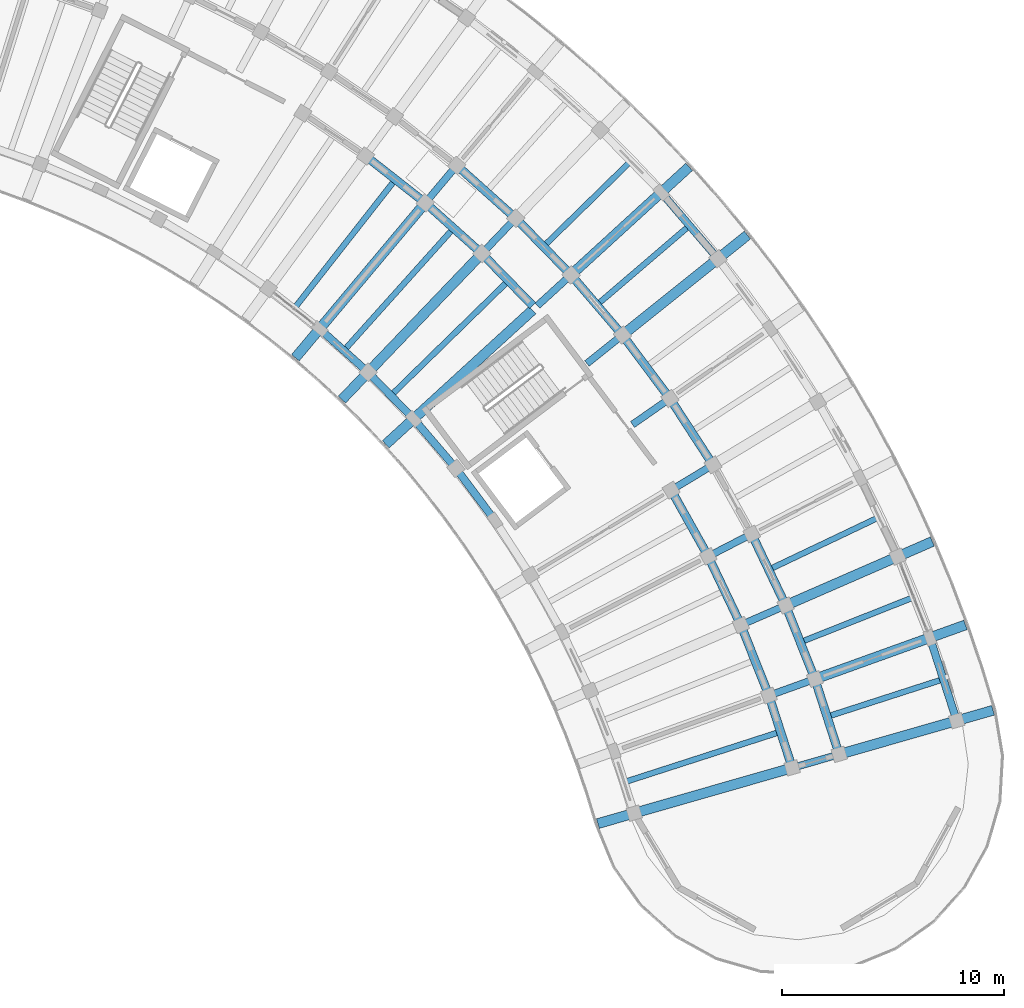
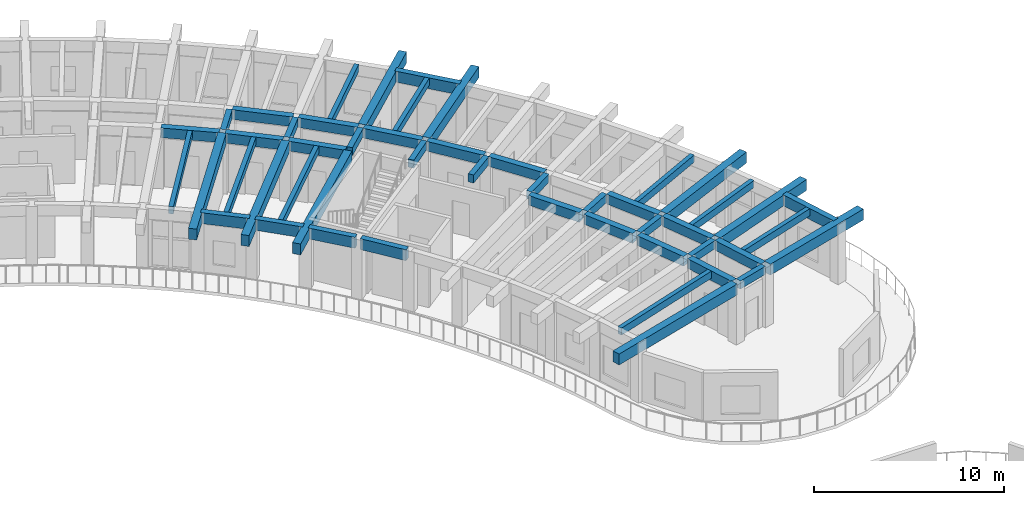
# One storey, part 62 of 128: 49 beams.
"""IFC4 building model written with IfcOpenShell, lengths in metres."""

from ifc_helpers import new_model, si_unit, direction, frame, origin, origin_2d, place, context, subcontext, project, spatial, rectangle, extrude, material, material_profile, profile_set, type_object, element, save


model = new_model("IFC4")

# Units and contexts
model_context = context("Model", 3, precision=1e-05, world=origin(), true_north=direction((0.0, 1.0)))
body_context = subcontext(model_context, "Body", "Model", "MODEL_VIEW")
ifc_project = project(units=[si_unit("LENGTHUNIT", "METRE"), si_unit("AREAUNIT", "SQUARE_METRE"), si_unit("VOLUMEUNIT", "CUBIC_METRE"), si_unit("PLANEANGLEUNIT", "RADIAN"), si_unit("MASSUNIT", "GRAM", prefix="KILO")], contexts=[model_context])

# Site, building, storey
site_placement = place(None, origin())
site = spatial("IfcSite", under=ifc_project, at=site_placement, CompositionType="ELEMENT")
building_placement = place(site_placement, origin())
building = spatial("IfcBuilding", under=site, at=building_placement, Name="Tanwirah Colonnade Gardens", CompositionType="ELEMENT")
storey_placement = place(building_placement, frame((0.0, 0.0, 4.760009765625)))
storey = spatial("IfcBuildingStorey", under=building, at=storey_placement, Name="L01", CompositionType="ELEMENT", Elevation=4.760009765625)

# Beams
ifc_material_1 = material(Name="Precast concrete C40/50", Category="concrete")
ifc_material_profile_1 = material_profile(ifc_material_1, rectangle(XDim=0.320068359375, YDim=0.52001953125, at=origin_2d()), Name="PC-BM 320x520")
ifc_profile_set_1 = profile_set([ifc_material_profile_1], Name="Precast concrete C40/50")
beam_type_1 = type_object("IfcBeamType", Name="BM-PC320", PredefinedType="BEAM", material=ifc_profile_set_1)
for number, where, z_axis, x_axis, name in (
    (1, (170.985595703125, 74.533203125, 3.56494140625), (0.961266538157, 0.275620468433, 0.0), (-0.275620468433, 0.961266538157, 0.0), "Block B L01 Corridor Tie Beam 0"),
    (2, (169.9326171875, 77.79541015625, 3.56494140625), (0.941021664552, 0.338346311999, 0.0), (-0.338346311999, 0.941021664552, 0.0), "Block B L01 Corridor Tie Beam 1"),
    (3, (168.6669921875, 80.981201171875, 3.56494140625), (0.916681481826, 0.399618644306, 0.0), (-0.399618644306, 0.916681481826, 0.0), "Block B L01 Corridor Tie Beam 2"),
):
    element("IfcBeam", number, at=place(storey_placement, frame(where, z_axis=z_axis, x_axis=x_axis)), inside=storey, type_object=beam_type_1, Name=name, PredefinedType="BEAM", context=body_context, shape_type="SweptSolid", body=[
        extrude(rectangle(XDim=0.320068359375, YDim=0.52001953125, at=origin_2d()), origin(), (0.0, 0.0, 1.0), 1.89990234375),
    ])
beam_1_placement = place(storey_placement, frame((167.194091796875, 84.07666015625, 3.56494140625), z_axis=(0.888385730697, 0.459097803844, 0.0), x_axis=(-0.459097803844, 0.888385730697, 0.0)))
element("IfcBeam", 4, at=beam_1_placement, inside=storey, type_object=beam_type_1, Name="Block B L01 Corridor Tie Beam 3", PredefinedType="BEAM", context=body_context, shape_type="SweptSolid", body=[
    extrude(rectangle(XDim=0.320068359375, YDim=0.52001953125, at=origin_2d()), origin(), (0.0, 0.0, 1.0), 1.900146484375),
])
for number, where, z_axis, x_axis, name in (
    (5, (165.520751953125, 87.068359375, 3.56494140625), (0.856174920318, 0.516686080534, 0.0), (-0.516686080534, 0.856174920318, 0.0), "Block B L01 Corridor Tie Beam 4"),
    (6, (163.653564453125, 89.943359375, 3.56494140625), (0.820305001782, 0.571926309983, 0.0), (-0.571926309983, 0.820305001782, 0.0), "Block B L01 Corridor Tie Beam 5"),
    (7, (161.601318359375, 92.68896484375, 3.56494140625), (0.78073089418, 0.624867402633, 0.0), (-0.624867402633, 0.78073089418, 0.0), "Block B L01 Corridor Tie Beam 6"),
    (8, (159.37255859375, 95.29345703125, 3.56494140625), (0.737948361517, 0.674857181732, 0.0), (-0.674857181732, 0.737948361517, 0.0), "Block B L01 Corridor Tie Beam 7"),
):
    element("IfcBeam", number, at=place(storey_placement, frame(where, z_axis=z_axis, x_axis=x_axis)), inside=storey, type_object=beam_type_1, Name=name, PredefinedType="BEAM", context=body_context, shape_type="SweptSolid", body=[
        extrude(rectangle(XDim=0.320068359375, YDim=0.52001953125, at=origin_2d()), origin(), (0.0, 0.0, 1.0), 1.89990234375),
    ])
beam_2_placement = place(storey_placement, frame((156.976806640625, 97.74560546875, 3.56494140625), z_axis=(0.691913735329, 0.721980181766, 0.0), x_axis=(-0.721980181766, 0.691913735329, 0.0)))
element("IfcBeam", 9, at=beam_2_placement, inside=storey, type_object=beam_type_1, Name="Block B L01 Corridor Tie Beam 8", PredefinedType="BEAM", context=body_context, shape_type="SweptSolid", body=[
    extrude(rectangle(XDim=0.320068359375, YDim=0.52001953125, at=origin_2d()), origin(), (0.0, 0.0, 1.0), 1.900146484375),
])
beam_3_placement = place(storey_placement, frame((154.425048828125, 100.034423828125, 3.56494140625), z_axis=(0.642797194343, 0.766036400535, 0.0), x_axis=(-0.766036400535, 0.642797194343, 0.0)))
element("IfcBeam", 10, at=beam_3_placement, inside=storey, type_object=beam_type_1, Name="Block B L01 Corridor Tie Beam 9", PredefinedType="BEAM", context=body_context, shape_type="SweptSolid", body=[
    extrude(rectangle(XDim=0.320068359375, YDim=0.52001953125, at=origin_2d()), origin(), (0.0, 0.0, 1.0), 1.89990234375),
])
ifc_material_profile_2 = material_profile(ifc_material_1, rectangle(XDim=0.3798828125, YDim=0.6201171875, at=origin_2d()), Name="PC-BM 380x620")
ifc_profile_set_2 = profile_set([ifc_material_profile_2], Name="Precast concrete C40/50")
beam_type_2 = type_object("IfcBeamType", Name="BM-PC380", PredefinedType="BEAM", material=ifc_profile_set_2)
beam_4_placement = place(storey_placement, frame((170.79541015625, 74.634521484375, 3.514892578125), z_axis=(-0.307169780148, 0.951654730542, 0.0), x_axis=(-0.951654730542, -0.307169780148, 0.0)))
element("IfcBeam", 11, at=beam_4_placement, inside=storey, type_object=beam_type_2, Name="Block B L01 Circumferential Beam 0-R1", PredefinedType="BEAM", context=body_context, shape_type="SweptSolid", body=[
    extrude(rectangle(XDim=0.3798828125, YDim=0.6201171875, at=origin_2d()), origin(), (0.0, 0.0, 1.0), 3.117919921875),
])
beam_5_placement = place(storey_placement, frame((172.91015625, 75.240966796875, 3.514892578125), z_axis=(-0.307212636327, 0.9516408966, 0.0), x_axis=(-0.9516408966, -0.307212636327, 0.0)))
element("IfcBeam", 12, at=beam_5_placement, inside=storey, type_object=beam_type_2, Name="Block B L01 Circumferential Beam 0-R2", PredefinedType="BEAM", context=body_context, shape_type="SweptSolid", body=[
    extrude(rectangle(XDim=0.3798828125, YDim=0.6201171875, at=origin_2d()), origin(), (0.0, 0.0, 1.0), 3.262939453125),
])
beam_6_placement = place(storey_placement, frame((169.736083984375, 77.884033203125, 3.514892578125), z_axis=(-0.369189105832, 0.929354294193, 0.0), x_axis=(-0.929354294193, -0.369189105832, 0.0)))
element("IfcBeam", 13, at=beam_6_placement, inside=storey, type_object=beam_type_2, Name="Block B L01 Circumferential Beam 1-R1", PredefinedType="BEAM", context=body_context, shape_type="SweptSolid", body=[
    extrude(rectangle(XDim=0.3798828125, YDim=0.6201171875, at=origin_2d()), origin(), (0.0, 0.0, 1.0), 3.117919921875),
])
beam_7_placement = place(storey_placement, frame((171.806396484375, 78.62841796875, 3.514892578125), z_axis=(-0.369209712056, 0.929346108037, 0.0), x_axis=(-0.929346108037, -0.369209712056, 0.0)))
element("IfcBeam", 14, at=beam_7_placement, inside=storey, type_object=beam_type_2, Name="Block B L01 Circumferential Beam 1-R2", PredefinedType="BEAM", context=body_context, shape_type="SweptSolid", body=[
    extrude(rectangle(XDim=0.3798828125, YDim=0.6201171875, at=origin_2d()), origin(), (0.0, 0.0, 1.0), 3.26318359375),
])
beam_8_placement = place(storey_placement, frame((168.465087890625, 81.056640625, 3.514892578125), z_axis=(-0.429620507728, 0.903009534468, 0.0), x_axis=(-0.903009534468, -0.429620507728, 0.0)))
element("IfcBeam", 15, at=beam_8_placement, inside=storey, type_object=beam_type_2, Name="Block B L01 Circumferential Beam 2-R1", PredefinedType="BEAM", context=body_context, shape_type="SweptSolid", body=[
    extrude(rectangle(XDim=0.3798828125, YDim=0.6201171875, at=origin_2d()), origin(), (0.0, 0.0, 1.0), 3.1181640625),
])
beam_9_placement = place(storey_placement, frame((170.481689453125, 81.935791015625, 3.514892578125), z_axis=(-0.4295908638, 0.90302363742, 0.0), x_axis=(-0.90302363742, -0.4295908638, 0.0)))
element("IfcBeam", 16, at=beam_9_placement, inside=storey, type_object=beam_type_2, Name="Block B L01 Circumferential Beam 2-R2", PredefinedType="BEAM", context=body_context, shape_type="SweptSolid", body=[
    extrude(rectangle(XDim=0.3798828125, YDim=0.6201171875, at=origin_2d()), origin(), (0.0, 0.0, 1.0), 3.26318359375),
])
beam_10_placement = place(storey_placement, frame((166.98779296875, 84.138671875, 3.514892578125), z_axis=(-0.488200372352, 0.872731571811, 0.0), x_axis=(-0.872731571811, -0.488200372352, 0.0)))
element("IfcBeam", 17, at=beam_10_placement, inside=storey, type_object=beam_type_2, Name="Block B L01 Circumferential Beam 3-R1", PredefinedType="BEAM", context=body_context, shape_type="SweptSolid", body=[
    extrude(rectangle(XDim=0.3798828125, YDim=0.6201171875, at=origin_2d()), origin(), (0.0, 0.0, 1.0), 3.117919921875),
])
for number, where, z_axis, x_axis, name in (
    (18, (167.194091796875, 88.25341796875, 3.514892578125), (-0.544627998385, 0.838677735114, 0.0), (-0.838677735114, -0.544627998385, 0.0), "Block B L01 Circumferential Beam 4-R2"),
    (19, (165.245361328125, 91.236083984375, 3.514892578125), (-0.59871829396, 0.800959677186, 0.0), (-0.800959677186, -0.59871829396, 0.0), "Block B L01 Circumferential Beam 5-R2"),
):
    element("IfcBeam", number, at=place(storey_placement, frame(where, z_axis=z_axis, x_axis=x_axis)), inside=storey, type_object=beam_type_2, Name=name, PredefinedType="BEAM", context=body_context, shape_type="SweptSolid", body=[
        extrude(rectangle(XDim=0.3798828125, YDim=0.6201171875, at=origin_2d()), origin(), (0.0, 0.0, 1.0), 3.262939453125),
    ])
beam_11_placement = place(storey_placement, frame((163.1044921875, 94.083740234375, 3.514892578125), z_axis=(-0.650218192342, 0.759747525398, 0.0), x_axis=(-0.759747525398, -0.650218192342, 0.0)))
element("IfcBeam", 20, at=beam_11_placement, inside=storey, type_object=beam_type_2, Name="Block B L01 Circumferential Beam 6-R2", PredefinedType="BEAM", context=body_context, shape_type="SweptSolid", body=[
    extrude(rectangle(XDim=0.3798828125, YDim=0.6201171875, at=origin_2d()), origin(), (0.0, 0.0, 1.0), 3.26318359375),
])
beam_12_placement = place(storey_placement, frame((159.156982421875, 95.299560546875, 3.514892578125), z_axis=(-0.698837366631, 0.715280598787, 0.0), x_axis=(-0.715280598787, -0.698837366631, 0.0)))
element("IfcBeam", 21, at=beam_12_placement, inside=storey, type_object=beam_type_2, Name="Block B L01 Circumferential Beam 7-R1", PredefinedType="BEAM", context=body_context, shape_type="SweptSolid", body=[
    extrude(rectangle(XDim=0.3798828125, YDim=0.6201171875, at=origin_2d()), origin(), (0.0, 0.0, 1.0), 3.117919921875),
])
beam_13_placement = place(storey_placement, frame((160.780517578125, 96.7841796875, 3.514892578125), z_axis=(-0.698829447339, 0.71528833594, 0.0), x_axis=(-0.71528833594, -0.698829447339, 0.0)))
element("IfcBeam", 22, at=beam_13_placement, inside=storey, type_object=beam_type_2, Name="Block B L01 Circumferential Beam 7-R2", PredefinedType="BEAM", context=body_context, shape_type="SweptSolid", body=[
    extrude(rectangle(XDim=0.3798828125, YDim=0.6201171875, at=origin_2d()), origin(), (0.0, 0.0, 1.0), 3.263427734375),
])
beam_14_placement = place(storey_placement, frame((156.761474609375, 97.7373046875, 3.514892578125), z_axis=(-0.744429866059, 0.667700662363, 0.0), x_axis=(-0.667700662363, -0.744429866059, 0.0)))
element("IfcBeam", 23, at=beam_14_placement, inside=storey, type_object=beam_type_2, Name="Block B L01 Circumferential Beam 8-R1", PredefinedType="BEAM", context=body_context, shape_type="SweptSolid", body=[
    extrude(rectangle(XDim=0.3798828125, YDim=0.6201171875, at=origin_2d()), origin(), (0.0, 0.0, 1.0), 3.1181640625),
])
beam_15_placement = place(storey_placement, frame((158.283447265625, 99.32568359375, 3.514892578125), z_axis=(-0.744409136578, 0.667723773262, 0.0), x_axis=(-0.667723773262, -0.744409136578, 0.0)))
element("IfcBeam", 24, at=beam_15_placement, inside=storey, type_object=beam_type_2, Name="Block B L01 Circumferential Beam 8-R2", PredefinedType="BEAM", context=body_context, shape_type="SweptSolid", body=[
    extrude(rectangle(XDim=0.3798828125, YDim=0.6201171875, at=origin_2d()), origin(), (0.0, 0.0, 1.0), 3.26318359375),
])
beam_16_placement = place(storey_placement, frame((154.21044921875, 100.011962890625, 3.514892578125), z_axis=(-0.78679899272, 0.617209320292, 0.0), x_axis=(-0.617209320292, -0.78679899272, 0.0)))
element("IfcBeam", 25, at=beam_16_placement, inside=storey, type_object=beam_type_2, Name="Block B L01 Circumferential Beam 9-R1", PredefinedType="BEAM", context=body_context, shape_type="SweptSolid", body=[
    extrude(rectangle(XDim=0.3798828125, YDim=0.6201171875, at=origin_2d()), origin(), (0.0, 0.0, 1.0), 3.1181640625),
])
ifc_material_2 = material(Name="Precast concrete C45/55", Category="concrete")
ifc_material_profile_3 = material_profile(ifc_material_2, rectangle(XDim=0.449951171875, YDim=0.699951171875, at=origin_2d()), Name="PC-BM 450x700")
ifc_profile_set_3 = profile_set([ifc_material_profile_3], Name="Precast concrete C45/55")
beam_type_3 = type_object("IfcBeamType", Name="BM-PC450", PredefinedType="BEAM", material=ifc_profile_set_3)
beam_17_placement = place(storey_placement, frame((170.697265625, 74.450439453125, 3.47509765625), z_axis=(-0.961258954076, -0.275646917646, 0.0), x_axis=(0.275646917646, -0.961258954076, 0.0)))
element("IfcBeam", 26, at=beam_17_placement, inside=storey, type_object=beam_type_3, Name="Block B L01 Inner Radial Precast Girder 0", PredefinedType="BEAM", context=body_context, shape_type="SweptSolid", body=[
    extrude(rectangle(XDim=0.449951171875, YDim=0.699951171875, at=origin_2d()), origin(), (0.0, 0.0, 1.0), 8.949951171875),
])
for number, where, z_axis, x_axis, name in (
    (27, (173.100341796875, 75.1396484375, 3.47509765625), (0.961266085595, 0.275622046806, 0.0), (-0.275622046806, 0.961266085595, 0.0), "Block B L01 Outer Radial Precast Girder 0"),
    (28, (172.0029296875, 78.539794921875, 3.47509765625), (0.941011841171, 0.338373631917, 0.0), (-0.338373631917, 0.941011841171, 0.0), "Block B L01 Outer Radial Precast Girder 1"),
):
    element("IfcBeam", number, at=place(storey_placement, frame(where, z_axis=z_axis, x_axis=x_axis)), inside=storey, type_object=beam_type_3, Name=name, PredefinedType="BEAM", context=body_context, shape_type="SweptSolid", body=[
        extrude(rectangle(XDim=0.449951171875, YDim=0.699951171875, at=origin_2d()), origin(), (0.0, 0.0, 1.0), 7.0498046875),
    ])
for number, where, z_axis, x_axis, name in (
    (29, (170.68359375, 81.8603515625, 3.47509765625), (0.916678725612, 0.399624966702, 0.0), (-0.399624966702, 0.916678725612, 0.0), "Block B L01 Outer Radial Precast Girder 2"),
    (30, (163.319091796875, 94.0634765625, 3.47509765625), (0.780794476885, 0.624787951921, 0.0), (-0.624787951921, 0.780794476885, 0.0), "Block B L01 Outer Radial Precast Girder 6"),
):
    element("IfcBeam", number, at=place(storey_placement, frame(where, z_axis=z_axis, x_axis=x_axis)), inside=storey, type_object=beam_type_3, Name=name, PredefinedType="BEAM", context=body_context, shape_type="SweptSolid", body=[
        extrude(rectangle(XDim=0.449951171875, YDim=0.699951171875, at=origin_2d()), origin(), (0.0, 0.0, 1.0), 7.050048828125),
    ])
beam_18_placement = place(storey_placement, frame((159.151123046875, 95.091064453125, 3.47509765625), z_axis=(-0.737937205818, -0.674869380154, 0.0), x_axis=(0.674869380154, -0.737937205818, 0.0)))
element("IfcBeam", 31, at=beam_18_placement, inside=storey, type_object=beam_type_3, Name="Block B L01 Inner Radial Precast Girder 7", PredefinedType="BEAM", context=body_context, shape_type="SweptSolid", body=[
    extrude(rectangle(XDim=0.449951171875, YDim=0.699951171875, at=origin_2d()), origin(), (0.0, 0.0, 1.0), 8.949951171875),
])
beam_19_placement = place(storey_placement, frame((160.995849609375, 96.7783203125, 3.47509765625), z_axis=(0.737934199263, 0.674872667663, 0.0), x_axis=(-0.674872667663, 0.737934199263, 0.0)))
element("IfcBeam", 32, at=beam_19_placement, inside=storey, type_object=beam_type_3, Name="Block B L01 Outer Radial Precast Girder 7", PredefinedType="BEAM", context=body_context, shape_type="SweptSolid", body=[
    extrude(rectangle(XDim=0.449951171875, YDim=0.699951171875, at=origin_2d()), origin(), (0.0, 0.0, 1.0), 7.050048828125),
])
for number, where, z_axis, x_axis, name in (
    (33, (156.769287109375, 97.52880859375, 3.47509765625), (-0.691860926595, -0.722030787606, 0.0), (0.722030787606, -0.691860926595, 0.0), "Block B L01 Inner Radial Precast Girder 8"),
    (34, (154.232177734375, 99.804443359375, 3.47509765625), (-0.64279407932, -0.766039014406, 0.0), (0.766039014406, -0.64279407932, 0.0), "Block B L01 Inner Radial Precast Girder 9"),
):
    element("IfcBeam", number, at=place(storey_placement, frame(where, z_axis=z_axis, x_axis=x_axis)), inside=storey, type_object=beam_type_3, Name=name, PredefinedType="BEAM", context=body_context, shape_type="SweptSolid", body=[
        extrude(rectangle(XDim=0.449951171875, YDim=0.699951171875, at=origin_2d()), origin(), (0.0, 0.0, 1.0), 8.949951171875),
    ])
ifc_material_profile_4 = material_profile(ifc_material_1, rectangle(XDim=0.260009765625, YDim=0.4599609375, at=origin_2d()), Name="PC-JST 260x460")
ifc_profile_set_4 = profile_set([ifc_material_profile_4], Name="Precast concrete C40/50")
beam_type_4 = type_object("IfcBeamType", Name="JST-PC260", PredefinedType="JOIST", material=ifc_profile_set_4)
beam_20_placement = place(storey_placement, frame((172.551025390625, 76.839599609375, 3.594970703125), z_axis=(0.951656985441, 0.307162794072, 0.0), x_axis=(-0.307162794072, 0.951656985441, 0.0)))
element("IfcBeam", 35, at=beam_20_placement, inside=storey, type_object=beam_type_4, Name="Block B L01 Precast Floor Joist 0", PredefinedType="JOIST", context=body_context, shape_type="SweptSolid", body=[
    extrude(rectangle(XDim=0.260009765625, YDim=0.4599609375, at=origin_2d()), origin(), (0.0, 0.0, 1.0), 5.26025390625),
])
beam_21_placement = place(storey_placement, frame((163.415283203125, 73.890625, 3.594970703125), z_axis=(0.951647858625, 0.307191069489, 0.0), x_axis=(-0.307191069489, 0.951647858625, 0.0)))
element("IfcBeam", 36, at=beam_21_placement, inside=storey, type_object=beam_type_4, Name="Block B L01 Inner Precast Floor Joist 0", PredefinedType="JOIST", context=body_context, shape_type="SweptSolid", body=[
    extrude(rectangle(XDim=0.260009765625, YDim=0.4599609375, at=origin_2d()), origin(), (0.0, 0.0, 1.0), 7.159912109375),
])
beam_22_placement = place(storey_placement, frame((171.3427734375, 80.199951171875, 3.594970703125), z_axis=(0.929357539836, 0.369180935517, 0.0), x_axis=(-0.369180935517, 0.929357539836, 0.0)))
element("IfcBeam", 37, at=beam_22_placement, inside=storey, type_object=beam_type_4, Name="Block B L01 Precast Floor Joist 1", PredefinedType="JOIST", context=body_context, shape_type="SweptSolid", body=[
    extrude(rectangle(XDim=0.260009765625, YDim=0.4599609375, at=origin_2d()), origin(), (0.0, 0.0, 1.0), 5.260009765625),
])
for number, where, z_axis, x_axis, name in (
    (38, (169.91552734375, 83.473388671875, 3.594970703125), (0.903018314862, 0.429602051931, 0.0), (-0.429602051931, 0.903018314862, 0.0), "Block B L01 Precast Floor Joist 2"),
    (39, (162.156982421875, 95.42041015625, 3.594970703125), (0.759770723643, 0.65019108537, 0.0), (-0.65019108537, 0.759770723643, 0.0), "Block B L01 Precast Floor Joist 6"),
):
    element("IfcBeam", number, at=place(storey_placement, frame(where, z_axis=z_axis, x_axis=x_axis)), inside=storey, type_object=beam_type_4, Name=name, PredefinedType="JOIST", context=body_context, shape_type="SweptSolid", body=[
        extrude(rectangle(XDim=0.260009765625, YDim=0.4599609375, at=origin_2d()), origin(), (0.0, 0.0, 1.0), 5.26025390625),
    ])
beam_23_placement = place(storey_placement, frame((159.7470703125, 98.0556640625, 3.594970703125), z_axis=(0.715297399369, 0.698820170327, 0.0), x_axis=(-0.698820170327, 0.715297399369, 0.0)))
element("IfcBeam", 40, at=beam_23_placement, inside=storey, type_object=beam_type_4, Name="Block B L01 Precast Floor Joist 7", PredefinedType="JOIST", context=body_context, shape_type="SweptSolid", body=[
    extrude(rectangle(XDim=0.260009765625, YDim=0.4599609375, at=origin_2d()), origin(), (0.0, 0.0, 1.0), 5.260009765625),
])
beam_24_placement = place(storey_placement, frame((152.88037109375, 91.346923828125, 3.594970703125), z_axis=(0.715276680509, 0.698841377081, 0.0), x_axis=(-0.698841377081, 0.715276680509, 0.0)))
element("IfcBeam", 41, at=beam_24_placement, inside=storey, type_object=beam_type_4, Name="Block B L01 Inner Precast Floor Joist 7", PredefinedType="JOIST", context=body_context, shape_type="SweptSolid", body=[
    extrude(rectangle(XDim=0.260009765625, YDim=0.4599609375, at=origin_2d()), origin(), (0.0, 0.0, 1.0), 7.159912109375),
])
beam_25_placement = place(storey_placement, frame((150.7587890625, 93.379638671875, 3.594970703125), z_axis=(0.667688404274, 0.744440860511, 0.0), x_axis=(-0.744440860511, 0.667688404274, 0.0)))
element("IfcBeam", 42, at=beam_25_placement, inside=storey, type_object=beam_type_4, Name="Block B L01 Inner Precast Floor Joist 8", PredefinedType="JOIST", context=body_context, shape_type="SweptSolid", body=[
    extrude(rectangle(XDim=0.260009765625, YDim=0.4599609375, at=origin_2d()), origin(), (0.0, 0.0, 1.0), 7.16015625),
])
beam_26_placement = place(storey_placement, frame((148.508056640625, 95.268310546875, 3.594970703125), z_axis=(0.617202438917, 0.786804390808, 0.0), x_axis=(-0.786804390808, 0.617202438917, 0.0)))
element("IfcBeam", 43, at=beam_26_placement, inside=storey, type_object=beam_type_4, Name="Block B L01 Inner Precast Floor Joist 9", PredefinedType="JOIST", context=body_context, shape_type="SweptSolid", body=[
    extrude(rectangle(XDim=0.260009765625, YDim=0.4599609375, at=origin_2d()), origin(), (0.0, 0.0, 1.0), 7.159912109375),
])
ifc_material_profile_5 = material_profile(ifc_material_2, rectangle(XDim=0.340087890625, YDim=0.699951171875, at=origin_2d()), Name="PC-SP 340x700")
ifc_profile_set_5 = profile_set([ifc_material_profile_5], Name="Precast concrete C45/55")
beam_type_5 = type_object("IfcBeamType", Name="SP-PC340", PredefinedType="SPANDREL", material=ifc_profile_set_5)
beam_27_placement = place(storey_placement, frame((178.197021484375, 76.7568359375, 3.47509765625), z_axis=(-0.307183773768, 0.951650213647, 0.0), x_axis=(-0.951650213647, -0.307183773768, 0.0)))
element("IfcBeam", 44, at=beam_27_placement, inside=storey, type_object=beam_type_5, Name="Block B L01 Circumferential Beam 0-R3", PredefinedType="SPANDREL", context=body_context, shape_type="SweptSolid", body=[
    extrude(rectangle(XDim=0.340087890625, YDim=0.699951171875, at=origin_2d()), origin(), (0.0, 0.0, 1.0), 3.625732421875),
])
beam_28_placement = place(storey_placement, frame((157.370849609375, 85.744873046875, 3.47509765625), z_axis=(-0.598662613551, 0.80100129534, 0.0), x_axis=(-0.80100129534, -0.598662613551, 0.0)))
element("IfcBeam", 45, at=beam_28_placement, inside=storey, type_object=beam_type_5, Name="Block B L01 Circumferential Beam 5-R0", PredefinedType="SPANDREL", context=body_context, shape_type="SweptSolid", body=[
    extrude(rectangle(XDim=0.340087890625, YDim=0.699951171875, at=origin_2d()), origin(), (0.0, 0.0, 1.0), 2.63037109375),
])
beam_29_placement = place(storey_placement, frame((155.60888671875, 88.0859375, 3.47509765625), z_axis=(-0.650217875778, 0.759747796323, 0.0), x_axis=(-0.759747796323, -0.650217875778, 0.0)))
element("IfcBeam", 46, at=beam_29_placement, inside=storey, type_object=beam_type_5, Name="Block B L01 Circumferential Beam 6-R0", PredefinedType="SPANDREL", context=body_context, shape_type="SweptSolid", body=[
    extrude(rectangle(XDim=0.340087890625, YDim=0.699951171875, at=origin_2d()), origin(), (0.0, 0.0, 1.0), 2.630126953125),
])
beam_30_placement = place(storey_placement, frame((167.398681640625, 97.52001953125, 3.47509765625), z_axis=(-0.650170105297, 0.759788677317, 0.0), x_axis=(-0.759788677317, -0.650170105297, 0.0)))
element("IfcBeam", 47, at=beam_30_placement, inside=storey, type_object=beam_type_5, Name="Block B L01 Circumferential Beam 6-R3", PredefinedType="SPANDREL", context=body_context, shape_type="SweptSolid", body=[
    extrude(rectangle(XDim=0.340087890625, YDim=0.699951171875, at=origin_2d()), origin(), (0.0, 0.0, 1.0), 3.625732421875),
])
beam_31_placement = place(storey_placement, frame((153.6962890625, 90.305419921875, 3.47509765625), z_axis=(-0.698844462704, 0.715273665772, 0.0), x_axis=(-0.715273665772, -0.698844462704, 0.0)))
element("IfcBeam", 48, at=beam_31_placement, inside=storey, type_object=beam_type_5, Name="Block B L01 Circumferential Beam 7-R0", PredefinedType="SPANDREL", context=body_context, shape_type="SweptSolid", body=[
    extrude(rectangle(XDim=0.340087890625, YDim=0.699951171875, at=origin_2d()), origin(), (0.0, 0.0, 1.0), 2.630126953125),
])
beam_32_placement = place(storey_placement, frame((151.6416015625, 92.394287109375, 3.47509765625), z_axis=(-0.744400790288, 0.667733077972, 0.0), x_axis=(-0.667733077972, -0.744400790288, 0.0)))
element("IfcBeam", 49, at=beam_32_placement, inside=storey, type_object=beam_type_5, Name="Block B L01 Circumferential Beam 8-R0", PredefinedType="SPANDREL", context=body_context, shape_type="SweptSolid", body=[
    extrude(rectangle(XDim=0.340087890625, YDim=0.699951171875, at=origin_2d()), origin(), (0.0, 0.0, 1.0), 2.63037109375),
])

save(model, "model.ifc")
